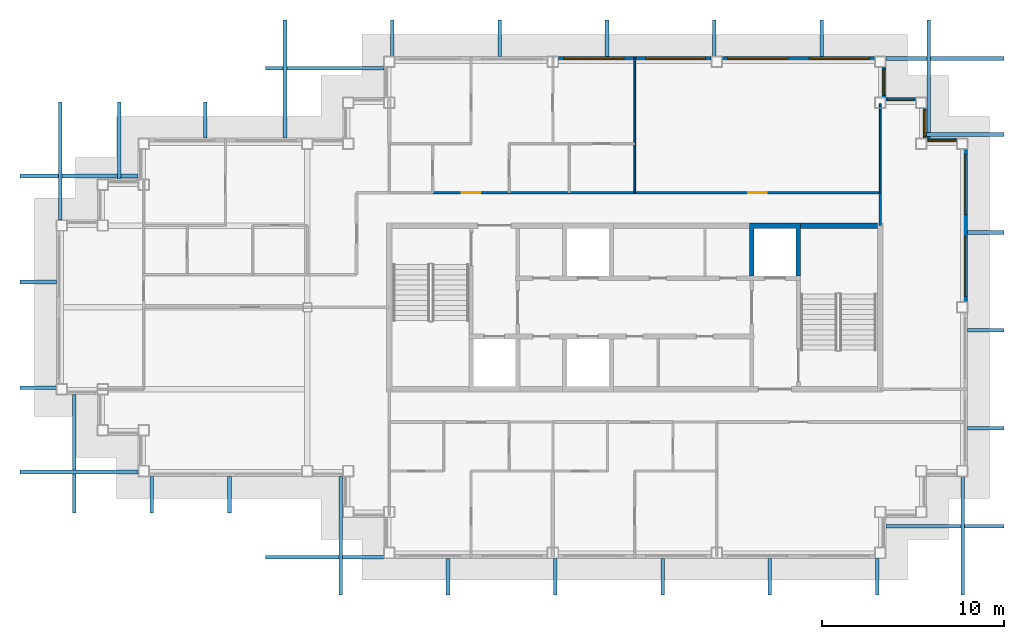
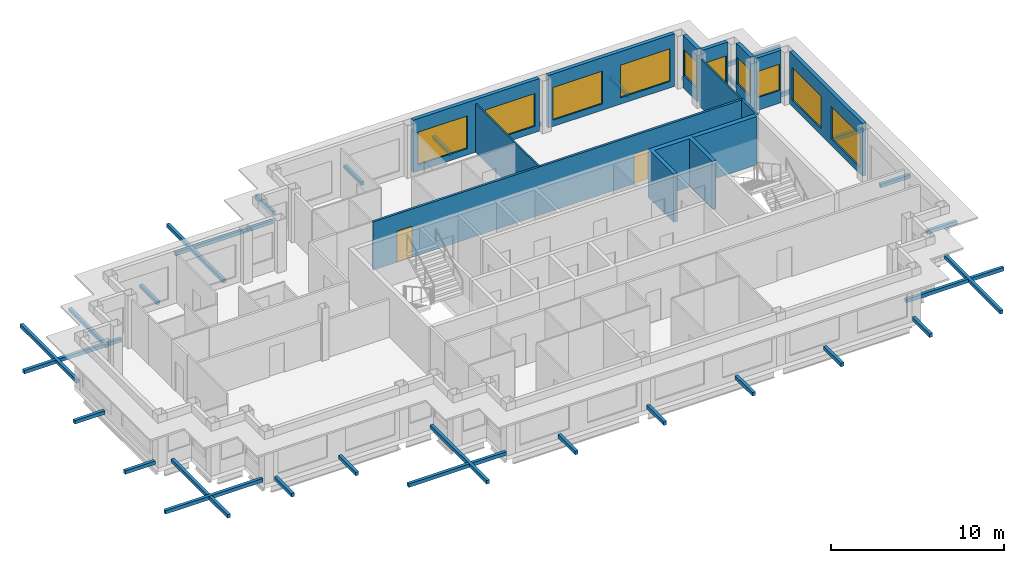
# One storey, part 6 of 11: 32 discrete accessories, 13 walls, 10 windows, 2 doors, 12 openings.
"""IFC4 building model written with IfcOpenShell, lengths in metres."""

import ifcopenshell
import ifcopenshell.guid

model = None  # the IFC model being written
_history = None  # IfcOwnerHistory: only IFC2X3 demands one
_inside = {}  # id of a spatial element -> (the spatial element, [elements in it])
_under = {}  # id of a project, library or spatial element -> (it, [spatial elements below it])
_declared = {}  # id of a project -> (the project, [libraries it declares])
_typed = {}  # id of a type object -> (the type object, [elements of that type])
_made_of = {}  # id of a material, layer set ... -> (it, [elements and type objects made of it])


def new_model(schema):
    """Start an empty IFC model of exactly this schema.

    Asked for "IFC4X3", IfcOpenShell would pick the latest addendum, in which some entities
    have other attributes; the version numbers below select the first issue.
    IFC2X3 requires an IfcOwnerHistory on every rooted entity: one is made here for all.
    """
    global model, _history
    if schema == "IFC4X3":
        model = ifcopenshell.file(schema_version=(4, 3, 0, 0))
    else:
        model = ifcopenshell.file(schema=schema)
    _inside.clear()
    _under.clear()
    _declared.clear()
    _typed.clear()
    _made_of.clear()
    _history = None
    if model.schema == "IFC2X3":
        org = make("IfcOrganization", Name="unknown")
        user = make(
            "IfcPersonAndOrganization",
            ThePerson=make("IfcPerson", FamilyName="unknown"),
            TheOrganization=org,
        )
        app = make(
            "IfcApplication",
            ApplicationDeveloper=org,
            Version="unknown",
            ApplicationFullName="unknown",
            ApplicationIdentifier="unknown",
        )
        _history = make(
            "IfcOwnerHistory",
            OwningUser=user,
            OwningApplication=app,
            ChangeAction="ADDED",
            CreationDate=0,
        )
    return model


def make(cls, **values):
    """One entity of the class cls with the attributes given. An attribute that is None is left unset."""
    return model.create_entity(
        cls, **{name: value for name, value in values.items() if value is not None}
    )


def rooted(cls, **values):
    """An entity with a GlobalId (a new one), such as an element, a storey or a relation."""
    return make(cls, GlobalId=ifcopenshell.guid.new(), OwnerHistory=_history, **values)


def si_unit(unit_type, name, prefix=None):
    """IfcSIUnit, for example si_unit("LENGTHUNIT", "METRE", prefix="MILLI")."""
    return make("IfcSIUnit", UnitType=unit_type, Prefix=prefix, Name=name)


def assignment(units):
    """IfcUnitAssignment: the units of a project."""
    return None if units is None else make("IfcUnitAssignment", Units=units)


def point(xyz):
    """IfcCartesianPoint."""
    return None if xyz is None else make("IfcCartesianPoint", Coordinates=xyz)


def direction(xyz):
    """IfcDirection."""
    return None if xyz is None else make("IfcDirection", DirectionRatios=xyz)


def frame(location, z_axis=None, x_axis=None):
    """IfcAxis2Placement3D, a coordinate frame: its origin and axes. An axis left out is left unset."""
    return make(
        "IfcAxis2Placement3D",
        Location=point(location),
        Axis=direction(z_axis),
        RefDirection=direction(x_axis),
    )


def frame_2d(location, x_axis=None):
    """IfcAxis2Placement2D, a coordinate frame in the plane: its origin and x axis."""
    return make(
        "IfcAxis2Placement2D", Location=point(location), RefDirection=direction(x_axis)
    )


def origin():
    """The frame at (0, 0, 0) with its axes left unset."""
    return frame((0.0, 0.0, 0.0))


def origin_2d():
    """The frame at (0, 0) in the plane with its x axis left unset."""
    return frame_2d((0.0, 0.0))


def place(relative_to, where):
    """IfcLocalPlacement: puts the frame where relative to a parent placement (None: the world)."""
    return make(
        "IfcLocalPlacement", PlacementRelTo=relative_to, RelativePlacement=where
    )


def context(
    kind, dimensions, precision=None, world=None, true_north=None, identifier=None
):
    """IfcGeometricRepresentationContext, for example the 3D "Model" context."""
    return make(
        "IfcGeometricRepresentationContext",
        ContextIdentifier=identifier,
        ContextType=kind,
        CoordinateSpaceDimension=dimensions,
        Precision=precision,
        WorldCoordinateSystem=world,
        TrueNorth=true_north,
    )


def subcontext(parent, identifier, kind, view, scale=None):
    """IfcGeometricRepresentationSubContext, for example "Body" below "Model"."""
    return make(
        "IfcGeometricRepresentationSubContext",
        ContextIdentifier=identifier,
        ContextType=kind,
        ParentContext=parent,
        TargetScale=scale,
        TargetView=view,
    )


def project(units=None, contexts=None):
    """IfcProject with its units and contexts."""
    return rooted(
        "IfcProject",
        Name="project",
        RepresentationContexts=contexts,
        UnitsInContext=assignment(units),
    )


def spatial(cls, under=None, at=None, **own):
    """A site, building, storey or space (cls), placed at a placement, below another one or the project."""
    s = rooted(cls, ObjectPlacement=at, **own)
    if under is not None:
        _under.setdefault(under.id(), (under, []))[1].append(s)
    return s


def polyline(points):
    """IfcPolyline through the points."""
    return make("IfcPolyline", Points=[point(p) for p in points])


def profile(cls, at=None, kind="AREA", **sizes):
    """A parametric profile (cls). Its sizes go by their IFC names, for example OverallWidth=200.0."""
    return make(cls, ProfileType=kind, Position=at, **sizes)


def rectangle(**sizes):
    """IfcRectangleProfileDef."""
    return profile("IfcRectangleProfileDef", **sizes)


def outline(outer, holes=None, kind="AREA"):
    """IfcArbitraryClosedProfileDef: a profile drawn as a closed curve; with holes, ...WithVoids."""
    if holes is None:
        return make("IfcArbitraryClosedProfileDef", ProfileType=kind, OuterCurve=outer)
    return make(
        "IfcArbitraryProfileDefWithVoids",
        ProfileType=kind,
        OuterCurve=outer,
        InnerCurves=holes,
    )


def extrude(swept, where, along, depth):
    """IfcExtrudedAreaSolid: the profile swept, set in the frame where, extruded along a direction by depth."""
    return make(
        "IfcExtrudedAreaSolid",
        SweptArea=swept,
        Position=where,
        ExtrudedDirection=direction(along),
        Depth=depth,
    )


def shape(context_of_items, identifier, shape_type, items):
    """IfcShapeRepresentation: the items that make up one representation, for example the "Body"."""
    return make(
        "IfcShapeRepresentation",
        ContextOfItems=context_of_items,
        RepresentationIdentifier=identifier,
        RepresentationType=shape_type,
        Items=items,
    )


def material(Name=None, Category=None):
    """IfcMaterial."""
    return make("IfcMaterial", Name=Name, Category=Category)


def layer(
    of_material, thickness, ventilated=None, Name=None, Category=None, Priority=None
):
    """IfcMaterialLayer: one layer of a wall or slab, of a material (None: an air gap)."""
    return make(
        "IfcMaterialLayer",
        Material=of_material,
        LayerThickness=thickness,
        IsVentilated=ventilated,
        Name=Name,
        Category=Category,
        Priority=Priority,
    )


def layer_set(layers, Name=None):
    """IfcMaterialLayerSet."""
    return make("IfcMaterialLayerSet", MaterialLayers=layers, LayerSetName=Name)


def made_of(thing, what):
    """Note that an element or type object is made of a material, layer set ...; save() writes the relation."""
    if what is not None:
        _made_of.setdefault(what.id(), (what, []))[1].append(thing)
    return thing


def type_object(cls, material=None, **own):
    """A type object (cls), such as IfcWallType, which elements share."""
    return made_of(rooted(cls, **own), material)


def element(
    cls,
    number,
    at=None,
    inside=None,
    cuts=None,
    type_object=None,
    material=None,
    context=None,
    identifier="Body",
    shape_type=None,
    held_by="IfcProductDefinitionShape",
    body=None,
    shapes=None,
    **own,
):
    """One element of the class cls, such as IfcWall. Its Tag is "e" and its number.

    at: its placement. inside: the storey or other place that contains it. cuts: it is an
    opening in that element (IfcRelVoidsElement). A single representation is given by context,
    identifier, shape_type and body (its items); several are given by shapes. held_by: the class
    of the entity that holds the representations. save() writes the other relations.
    """
    e = rooted(cls, Tag="e%d" % number, ObjectPlacement=at, **own)
    if body is not None:
        shapes = [shape(context, identifier, shape_type, body)]
    if shapes is not None:
        e.Representation = make(held_by, Representations=shapes)
    if inside is not None:
        _inside.setdefault(inside.id(), (inside, []))[1].append(e)
    if cuts is not None:
        rooted(
            "IfcRelVoidsElement", RelatingBuildingElement=cuts, RelatedOpeningElement=e
        )
    if type_object is not None:
        _typed.setdefault(type_object.id(), (type_object, []))[1].append(e)
    return made_of(e, material)


def fill(opening, filler):
    """IfcRelFillsElement: the door or window that sits in an opening."""
    return rooted(
        "IfcRelFillsElement",
        RelatingOpeningElement=opening,
        RelatedBuildingElement=filler,
    )


def aggregate(whole, parts):
    """IfcRelAggregates: a whole, such as a stair, and the parts it consists of."""
    return rooted("IfcRelAggregates", RelatingObject=whole, RelatedObjects=parts)


def save(model, path):
    """Write the relations noted so far, then the file.

    IfcRelAggregates (storeys below a building ...), IfcRelContainedInSpatialStructure (elements
    in a storey), IfcRelDefinesByType, IfcRelAssociatesMaterial and IfcRelDeclares: one each for
    every whole, place, type object, material and project.
    """
    for whole, parts in _under.values():
        aggregate(whole, parts)
    for where, things in _inside.values():
        rooted(
            "IfcRelContainedInSpatialStructure",
            RelatedElements=things,
            RelatingStructure=where,
        )
    for kind, things in _typed.values():
        rooted("IfcRelDefinesByType", RelatedObjects=things, RelatingType=kind)
    for what, things in _made_of.values():
        rooted("IfcRelAssociatesMaterial", RelatedObjects=things, RelatingMaterial=what)
    for by, libraries in _declared.values():
        rooted("IfcRelDeclares", RelatingContext=by, RelatedDefinitions=libraries)
    model.write(path)


model = new_model("IFC4")

# Units and contexts
model_context = context("Model", 3, precision=1e-05, world=origin(), true_north=direction((0.0, 1.0)))
body_context = subcontext(model_context, "Body", "Model", "MODEL_VIEW")
ifc_project = project(units=[si_unit("LENGTHUNIT", "METRE"), si_unit("AREAUNIT", "SQUARE_METRE"), si_unit("VOLUMEUNIT", "CUBIC_METRE"), si_unit("PLANEANGLEUNIT", "RADIAN"), si_unit("MASSUNIT", "GRAM", prefix="KILO")], contexts=[model_context])

# Site, building, storey
site_placement = place(None, origin())
site = spatial("IfcSite", under=ifc_project, at=site_placement, CompositionType="ELEMENT")
building_placement = place(site_placement, origin())
building = spatial("IfcBuilding", under=site, at=building_placement, Name="Caravel Reach Hotel and Residences", CompositionType="ELEMENT")
storey_placement = place(building_placement, frame((0.0, 0.0, 249.0)))
storey = spatial("IfcBuildingStorey", under=building, at=storey_placement, Name="L63", CompositionType="ELEMENT", Elevation=249.0)

# Wall
ifc_material_1 = material(Name="Concrete C60", Category="concrete")
ifc_layer_1 = layer(ifc_material_1, 0.300048828125)
ifc_layer_set_1 = layer_set([ifc_layer_1], Name="Core wall 300 mm EI 120")
wall_type_1 = type_object("IfcWallType", Name="Core wall 300 mm EI 120", PredefinedType="SHEAR", material=ifc_layer_set_1)
wall_1_placement = place(storey_placement, frame((40.625, 31.5, 0.0), z_axis=(0.0, 0.0, 1.0), x_axis=(1.0, 0.0, 0.0)))
element("IfcWall", 1, at=wall_1_placement, inside=storey, type_object=wall_type_1, Name="L63 core wall N3", PredefinedType="SHEAR", context=body_context, shape_type="SweptSolid", body=[
    extrude(rectangle(XDim=4.22509765625, YDim=0.300048828125, at=frame_2d((2.112548828125, 0.0))), origin(), (0.0, 0.0, 1.0), 3.39990234375),
])

# Wall, openings, doors
ifc_material_2 = material(Name="Gypsum board on steel stud, fire-rated", Category="steel")
ifc_layer_2 = layer(ifc_material_2, 0.14990234375)
ifc_layer_set_2 = layer_set([ifc_layer_2], Name="Corridor wall 150 mm EI 60")
wall_type_2 = type_object("IfcWallType", Name="Corridor wall 150 mm EI 60", PredefinedType="PARTITIONING", material=ifc_layer_set_2)
wall_2_placement = place(storey_placement, frame((20.39990234375, 33.300048828125, 0.0), z_axis=(0.0, 0.0, 1.0), x_axis=(1.0, 0.0, 0.0)))
wall_2 = element("IfcWall", 2, at=wall_2_placement, inside=storey, type_object=wall_type_2, Name="L63 wall w012", PredefinedType="PARTITIONING", context=body_context, shape_type="SweptSolid", body=[
    extrude(rectangle(XDim=24.60009765625, YDim=0.14990234375, at=frame_2d((12.300048828125, 0.0))), origin(), (0.0, 0.0, 1.0), 3.39990234375),
])
opening_1_placement = place(wall_2_placement, frame((1.60009765625, 0.0, 0.0)))
opening_1 = element("IfcOpeningElement", 3, at=opening_1_placement, cuts=wall_2, Name="Opening D63-017", PredefinedType="OPENING", context=body_context, shape_type="SweptSolid", body=[
    extrude(rectangle(XDim=1.0, YDim=2.199951171875, at=frame_2d((0.5, 1.10009765625))), frame((0.0, 0.0849609375, 0.0), z_axis=(0.0, -1.0, 0.0), x_axis=(1.0, 0.0, 0.0)), (0.0, 0.0, 1.0), 0.169921875),
])
opening_2_placement = place(wall_2_placement, frame((17.35009765625, 0.0, 0.0)))
opening_2 = element("IfcOpeningElement", 4, at=opening_2_placement, cuts=wall_2, Name="Opening D63-023", PredefinedType="OPENING", context=body_context, shape_type="SweptSolid", body=[
    extrude(rectangle(XDim=1.0, YDim=2.10009765625, at=frame_2d((0.5, 1.050048828125))), frame((0.0, 0.0849609375, 0.0), z_axis=(0.0, -1.0, 0.0), x_axis=(1.0, 0.0, 0.0)), (0.0, 0.0, 1.0), 0.169921875),
])
ifc_material_3 = material(Name="Steel fire door leaf", Category="steel")
door_type_1 = type_object("IfcDoorType", Name="Fire door 1000 x 2100 EI 60", OperationType="SINGLE_SWING_LEFT", PredefinedType="DOOR", material=ifc_material_3)
door_1_placement = place(opening_2_placement, origin())
door_1 = element("IfcDoor", 5, at=door_1_placement, inside=storey, type_object=door_type_1, Name="door D63-023", OperationType="SINGLE_SWING_LEFT", OverallHeight=2.10009765625, OverallWidth=1.0, PredefinedType="DOOR", context=body_context, shape_type="SweptSolid", body=[
    extrude(rectangle(XDim=1.0, YDim=2.10009765625, at=frame_2d((0.5, 1.050048828125))), frame((0.0, 0.02490234375, 0.0), z_axis=(0.0, -1.0, 0.0), x_axis=(1.0, 0.0, 0.0)), (0.0, 0.0, 1.0), 0.050048828125),
])
fill(opening_2, door_1)
ifc_material_4 = material(Name="Steel fire door leaf", Category="steel")
door_type_2 = type_object("IfcDoorType", Name="Flat entrance door 1000 x 2200 EI 60", OperationType="SINGLE_SWING_LEFT", PredefinedType="DOOR", material=ifc_material_4)
door_2_placement = place(opening_1_placement, origin())
door_2 = element("IfcDoor", 6, at=door_2_placement, inside=storey, type_object=door_type_2, Name="door D63-017", OperationType="SINGLE_SWING_LEFT", OverallHeight=2.199951171875, OverallWidth=1.0, PredefinedType="DOOR", context=body_context, shape_type="SweptSolid", body=[
    extrude(rectangle(XDim=1.0, YDim=2.199951171875, at=frame_2d((0.5, 1.10009765625))), frame((0.0, 0.02490234375, 0.0), z_axis=(0.0, -1.0, 0.0), x_axis=(1.0, 0.0, 0.0)), (0.0, 0.0, 1.0), 0.050048828125),
])
fill(opening_1, door_2)

# Wall
wall_3_placement = place(storey_placement, frame((45.0, 31.5, 0.0), z_axis=(0.0, 0.0, 1.0), x_axis=(0.0, 1.0, 0.0)))
element("IfcWall", 7, at=wall_3_placement, inside=storey, type_object=wall_type_2, Name="L63 wall w020", PredefinedType="PARTITIONING", context=body_context, shape_type="SweptSolid", body=[
    extrude(rectangle(XDim=1.800048828125, YDim=0.14990234375, at=frame_2d((0.89990234375, 0.0))), origin(), (0.0, 0.0, 1.0), 3.39990234375),
])

# Wall, openings, windows
ifc_material_5 = material(Name="Insulated rainscreen wall, aluminium cladding", Category="aluminium")
ifc_layer_3 = layer(ifc_material_5, 0.25)
ifc_layer_set_3 = layer_set([ifc_layer_3], Name="EW1 Tower rainscreen wall")
wall_type_3 = type_object("IfcWallType", Name="EW1 Tower rainscreen wall", PredefinedType="SOLIDWALL", material=ifc_layer_set_3)
wall_4_placement = place(storey_placement, frame((49.675048828125, 27.300048828125, 0.0), z_axis=(0.0, 0.0, 1.0), x_axis=(0.0, 1.0, 0.0)))
wall_4 = element("IfcWall", 8, at=wall_4_placement, inside=storey, type_object=wall_type_3, Name="External wall L63 E9.2", PredefinedType="SOLIDWALL", context=body_context, shape_type="SweptSolid", body=[
    extrude(rectangle(XDim=8.39990234375, YDim=0.25, at=frame_2d((4.199951171875, 0.0))), origin(), (0.0, 0.0, 1.0), 3.699951171875),
])
opening_3_placement = place(wall_4_placement, frame((0.300048828125, 0.0, 0.449951171875)))
opening_3 = element("IfcOpeningElement", 9, at=opening_3_placement, cuts=wall_4, Name="Opening WN15", PredefinedType="OPENING", context=body_context, shape_type="SweptSolid", body=[
    extrude(rectangle(XDim=3.300048828125, YDim=2.300048828125, at=frame_2d((1.64990234375, 1.14990234375))), frame((0.0, 0.135009765625, 0.0), z_axis=(0.0, -1.0, 0.0), x_axis=(1.0, 0.0, 0.0)), (0.0, 0.0, 1.0), 0.27001953125),
])
opening_4_placement = place(wall_4_placement, frame((4.800048828125, 0.0, 0.449951171875)))
opening_4 = element("IfcOpeningElement", 10, at=opening_4_placement, cuts=wall_4, Name="Opening WN15", PredefinedType="OPENING", context=body_context, shape_type="SweptSolid", body=[
    extrude(rectangle(XDim=3.300048828125, YDim=2.300048828125, at=frame_2d((1.64990234375, 1.14990234375))), frame((0.0, 0.135009765625, 0.0), z_axis=(0.0, -1.0, 0.0), x_axis=(1.0, 0.0, 0.0)), (0.0, 0.0, 1.0), 0.27001953125),
])
ifc_material_6 = material(Name="Dark low-e glazing in black aluminium frame", Category="aluminium")
window_type_1 = type_object("IfcWindowType", Name="Residence living window 3300 x 2300", PartitioningType="SINGLE_PANEL", PredefinedType="WINDOW", material=ifc_material_6)
window_1_placement = place(opening_3_placement, origin())
window_1 = element("IfcWindow", 11, at=window_1_placement, inside=storey, type_object=window_type_1, Name="Window L63 E9.2.1", OverallHeight=2.300048828125, OverallWidth=3.300048828125, PartitioningType="SINGLE_PANEL", PredefinedType="WINDOW", context=body_context, shape_type="SweptSolid", body=[
    extrude(rectangle(XDim=3.300048828125, YDim=2.300048828125, at=frame_2d((1.64990234375, 1.14990234375))), frame((0.0, 0.030029296875, 0.0), z_axis=(0.0, -1.0, 0.0), x_axis=(1.0, 0.0, 0.0)), (0.0, 0.0, 1.0), 0.06005859375),
])
fill(opening_3, window_1)
window_2_placement = place(opening_4_placement, origin())
window_2 = element("IfcWindow", 12, at=window_2_placement, inside=storey, type_object=window_type_1, Name="Window L63 E9.2.2", OverallHeight=2.300048828125, OverallWidth=3.300048828125, PartitioningType="SINGLE_PANEL", PredefinedType="WINDOW", context=body_context, shape_type="SweptSolid", body=[
    extrude(rectangle(XDim=3.300048828125, YDim=2.300048828125, at=frame_2d((1.64990234375, 1.14990234375))), frame((0.0, 0.030029296875, 0.0), z_axis=(0.0, -1.0, 0.0), x_axis=(1.0, 0.0, 0.0)), (0.0, 0.0, 1.0), 0.06005859375),
])
fill(opening_4, window_2)

# Wall, opening, window
wall_5_placement = place(storey_placement, frame((49.199951171875, 36.175048828125, 0.0), z_axis=(0.0, 0.0, 1.0), x_axis=(-1.0, 0.0, 0.0)))
wall_5 = element("IfcWall", 13, at=wall_5_placement, inside=storey, type_object=wall_type_3, Name="External wall L63 N10.1", PredefinedType="SOLIDWALL", context=body_context, shape_type="SweptSolid", body=[
    extrude(rectangle(XDim=1.64990234375, YDim=0.25, at=frame_2d((0.824951171875, 0.0))), origin(), (0.0, 0.0, 1.0), 3.699951171875),
])
opening_5_placement = place(wall_5_placement, frame((0.10009765625, 0.0, 0.89990234375)))
opening_5 = element("IfcOpeningElement", 14, at=opening_5_placement, cuts=wall_5, Name="Opening WN25", PredefinedType="OPENING", context=body_context, shape_type="SweptSolid", body=[
    extrude(rectangle(XDim=1.449951171875, YDim=1.85009765625, at=frame_2d((0.72509765625, 0.925048828125))), frame((0.0, 0.135009765625, 0.0), z_axis=(0.0, -1.0, 0.0), x_axis=(1.0, 0.0, 0.0)), (0.0, 0.0, 1.0), 0.27001953125),
])
ifc_material_7 = material(Name="Dark low-e glazing in black aluminium frame", Category="aluminium")
window_type_2 = type_object("IfcWindowType", Name="Residence bedroom window 1450 x 1850", PartitioningType="SINGLE_PANEL", PredefinedType="WINDOW", material=ifc_material_7)
window_3_placement = place(opening_5_placement, origin())
window_3 = element("IfcWindow", 15, at=window_3_placement, inside=storey, type_object=window_type_2, Name="Window L63 N10.1.1", OverallHeight=1.85009765625, OverallWidth=1.449951171875, PartitioningType="SINGLE_PANEL", PredefinedType="WINDOW", context=body_context, shape_type="SweptSolid", body=[
    extrude(rectangle(XDim=1.449951171875, YDim=1.85009765625, at=frame_2d((0.72509765625, 0.925048828125))), frame((0.0, 0.030029296875, 0.0), z_axis=(0.0, -1.0, 0.0), x_axis=(1.0, 0.0, 0.0)), (0.0, 0.0, 1.0), 0.06005859375),
])
fill(opening_5, window_3)

wall_6_placement = place(storey_placement, frame((47.425048828125, 36.300048828125, 0.0), z_axis=(0.0, 0.0, 1.0), x_axis=(0.0, 1.0, 0.0)))
wall_6 = element("IfcWall", 16, at=wall_6_placement, inside=storey, type_object=wall_type_3, Name="External wall L63 E11.1", PredefinedType="SOLIDWALL", context=body_context, shape_type="SweptSolid", body=[
    extrude(rectangle(XDim=1.64990234375, YDim=0.25, at=frame_2d((0.824951171875, 0.0))), origin(), (0.0, 0.0, 1.0), 3.699951171875),
])
opening_6_placement = place(wall_6_placement, frame((0.10009765625, 0.0, 0.89990234375)))
opening_6 = element("IfcOpeningElement", 17, at=opening_6_placement, cuts=wall_6, Name="Opening WN25", PredefinedType="OPENING", context=body_context, shape_type="SweptSolid", body=[
    extrude(rectangle(XDim=1.449951171875, YDim=1.85009765625, at=frame_2d((0.72509765625, 0.925048828125))), frame((0.0, 0.135009765625, 0.0), z_axis=(0.0, -1.0, 0.0), x_axis=(1.0, 0.0, 0.0)), (0.0, 0.0, 1.0), 0.27001953125),
])
window_4_placement = place(opening_6_placement, origin())
window_4 = element("IfcWindow", 18, at=window_4_placement, inside=storey, type_object=window_type_2, Name="Window L63 E11.1.1", OverallHeight=1.85009765625, OverallWidth=1.449951171875, PartitioningType="SINGLE_PANEL", PredefinedType="WINDOW", context=body_context, shape_type="SweptSolid", body=[
    extrude(rectangle(XDim=1.449951171875, YDim=1.85009765625, at=frame_2d((0.72509765625, 0.925048828125))), frame((0.0, 0.030029296875, 0.0), z_axis=(0.0, -1.0, 0.0), x_axis=(1.0, 0.0, 0.0)), (0.0, 0.0, 1.0), 0.06005859375),
])
fill(opening_6, window_4)

wall_7_placement = place(storey_placement, frame((46.949951171875, 38.425048828125, 0.0), z_axis=(0.0, 0.0, 1.0), x_axis=(-1.0, 0.0, 0.0)))
wall_7 = element("IfcWall", 19, at=wall_7_placement, inside=storey, type_object=wall_type_3, Name="External wall L63 N12.1", PredefinedType="SOLIDWALL", context=body_context, shape_type="SweptSolid", body=[
    extrude(rectangle(XDim=1.64990234375, YDim=0.25, at=frame_2d((0.824951171875, 0.0))), origin(), (0.0, 0.0, 1.0), 3.699951171875),
])
opening_7_placement = place(wall_7_placement, frame((0.10009765625, 0.0, 0.89990234375)))
opening_7 = element("IfcOpeningElement", 20, at=opening_7_placement, cuts=wall_7, Name="Opening WN25", PredefinedType="OPENING", context=body_context, shape_type="SweptSolid", body=[
    extrude(rectangle(XDim=1.449951171875, YDim=1.85009765625, at=frame_2d((0.72509765625, 0.925048828125))), frame((0.0, 0.135009765625, 0.0), z_axis=(0.0, -1.0, 0.0), x_axis=(1.0, 0.0, 0.0)), (0.0, 0.0, 1.0), 0.27001953125),
])
window_5_placement = place(opening_7_placement, origin())
window_5 = element("IfcWindow", 21, at=window_5_placement, inside=storey, type_object=window_type_2, Name="Window L63 N12.1.1", OverallHeight=1.85009765625, OverallWidth=1.449951171875, PartitioningType="SINGLE_PANEL", PredefinedType="WINDOW", context=body_context, shape_type="SweptSolid", body=[
    extrude(rectangle(XDim=1.449951171875, YDim=1.85009765625, at=frame_2d((0.72509765625, 0.925048828125))), frame((0.0, 0.030029296875, 0.0), z_axis=(0.0, -1.0, 0.0), x_axis=(1.0, 0.0, 0.0)), (0.0, 0.0, 1.0), 0.06005859375),
])
fill(opening_7, window_5)

wall_8_placement = place(storey_placement, frame((45.175048828125, 38.550048828125, 0.0), z_axis=(0.0, 0.0, 1.0), x_axis=(0.0, 1.0, 0.0)))
wall_8 = element("IfcWall", 22, at=wall_8_placement, inside=storey, type_object=wall_type_3, Name="External wall L63 E13.1", PredefinedType="SOLIDWALL", context=body_context, shape_type="SweptSolid", body=[
    extrude(rectangle(XDim=1.64990234375, YDim=0.25, at=frame_2d((0.824951171875, 0.0))), origin(), (0.0, 0.0, 1.0), 3.699951171875),
])
opening_8_placement = place(wall_8_placement, frame((0.10009765625, 0.0, 0.89990234375)))
opening_8 = element("IfcOpeningElement", 23, at=opening_8_placement, cuts=wall_8, Name="Opening WN25", PredefinedType="OPENING", context=body_context, shape_type="SweptSolid", body=[
    extrude(rectangle(XDim=1.449951171875, YDim=1.85009765625, at=frame_2d((0.72509765625, 0.925048828125))), frame((0.0, 0.135009765625, 0.0), z_axis=(0.0, -1.0, 0.0), x_axis=(1.0, 0.0, 0.0)), (0.0, 0.0, 1.0), 0.27001953125),
])
window_6_placement = place(opening_8_placement, origin())
window_6 = element("IfcWindow", 24, at=window_6_placement, inside=storey, type_object=window_type_2, Name="Window L63 E13.1.1", OverallHeight=1.85009765625, OverallWidth=1.449951171875, PartitioningType="SINGLE_PANEL", PredefinedType="WINDOW", context=body_context, shape_type="SweptSolid", body=[
    extrude(rectangle(XDim=1.449951171875, YDim=1.85009765625, at=frame_2d((0.72509765625, 0.925048828125))), frame((0.0, 0.030029296875, 0.0), z_axis=(0.0, -1.0, 0.0), x_axis=(1.0, 0.0, 0.0)), (0.0, 0.0, 1.0), 0.06005859375),
])
fill(opening_8, window_6)

# Wall, openings, windows
wall_9_placement = place(storey_placement, frame((44.699951171875, 40.675048828125, 0.0), z_axis=(0.0, 0.0, 1.0), x_axis=(-1.0, 0.0, 0.0)))
wall_9 = element("IfcWall", 25, at=wall_9_placement, inside=storey, type_object=wall_type_3, Name="External wall L63 N14.1", PredefinedType="SOLIDWALL", context=body_context, shape_type="SweptSolid", body=[
    extrude(rectangle(XDim=8.39990234375, YDim=0.25, at=frame_2d((4.199951171875, 0.0))), origin(), (0.0, 0.0, 1.0), 3.699951171875),
])
opening_9_placement = place(wall_9_placement, frame((0.300048828125, 0.0, 0.449951171875)))
opening_9 = element("IfcOpeningElement", 26, at=opening_9_placement, cuts=wall_9, Name="Opening WN15", PredefinedType="OPENING", context=body_context, shape_type="SweptSolid", body=[
    extrude(rectangle(XDim=3.300048828125, YDim=2.300048828125, at=frame_2d((1.64990234375, 1.14990234375))), frame((0.0, 0.135009765625, 0.0), z_axis=(0.0, -1.0, 0.0), x_axis=(1.0, 0.0, 0.0)), (0.0, 0.0, 1.0), 0.27001953125),
])
opening_10_placement = place(wall_9_placement, frame((4.800048828125, 0.0, 0.449951171875)))
opening_10 = element("IfcOpeningElement", 27, at=opening_10_placement, cuts=wall_9, Name="Opening WN15", PredefinedType="OPENING", context=body_context, shape_type="SweptSolid", body=[
    extrude(rectangle(XDim=3.300048828125, YDim=2.300048828125, at=frame_2d((1.64990234375, 1.14990234375))), frame((0.0, 0.135009765625, 0.0), z_axis=(0.0, -1.0, 0.0), x_axis=(1.0, 0.0, 0.0)), (0.0, 0.0, 1.0), 0.27001953125),
])
window_7_placement = place(opening_9_placement, origin())
window_7 = element("IfcWindow", 28, at=window_7_placement, inside=storey, type_object=window_type_1, Name="Window L63 N14.1.1", OverallHeight=2.300048828125, OverallWidth=3.300048828125, PartitioningType="SINGLE_PANEL", PredefinedType="WINDOW", context=body_context, shape_type="SweptSolid", body=[
    extrude(rectangle(XDim=3.300048828125, YDim=2.300048828125, at=frame_2d((1.64990234375, 1.14990234375))), frame((0.0, 0.030029296875, 0.0), z_axis=(0.0, -1.0, 0.0), x_axis=(1.0, 0.0, 0.0)), (0.0, 0.0, 1.0), 0.06005859375),
])
fill(opening_9, window_7)
window_8_placement = place(opening_10_placement, origin())
window_8 = element("IfcWindow", 29, at=window_8_placement, inside=storey, type_object=window_type_1, Name="Window L63 N14.1.2", OverallHeight=2.300048828125, OverallWidth=3.300048828125, PartitioningType="SINGLE_PANEL", PredefinedType="WINDOW", context=body_context, shape_type="SweptSolid", body=[
    extrude(rectangle(XDim=3.300048828125, YDim=2.300048828125, at=frame_2d((1.64990234375, 1.14990234375))), frame((0.0, 0.030029296875, 0.0), z_axis=(0.0, -1.0, 0.0), x_axis=(1.0, 0.0, 0.0)), (0.0, 0.0, 1.0), 0.06005859375),
])
fill(opening_10, window_8)

wall_10_placement = place(storey_placement, frame((35.699951171875, 40.675048828125, 0.0), z_axis=(0.0, 0.0, 1.0), x_axis=(-1.0, 0.0, 0.0)))
wall_10 = element("IfcWall", 30, at=wall_10_placement, inside=storey, type_object=wall_type_3, Name="External wall L63 N14.2", PredefinedType="SOLIDWALL", context=body_context, shape_type="SweptSolid", body=[
    extrude(rectangle(XDim=8.39990234375, YDim=0.25, at=frame_2d((4.199951171875, 0.0))), origin(), (0.0, 0.0, 1.0), 3.699951171875),
])
opening_11_placement = place(wall_10_placement, frame((0.300048828125, 0.0, 0.449951171875)))
opening_11 = element("IfcOpeningElement", 31, at=opening_11_placement, cuts=wall_10, Name="Opening WN15", PredefinedType="OPENING", context=body_context, shape_type="SweptSolid", body=[
    extrude(rectangle(XDim=3.300048828125, YDim=2.300048828125, at=frame_2d((1.64990234375, 1.14990234375))), frame((0.0, 0.135009765625, 0.0), z_axis=(0.0, -1.0, 0.0), x_axis=(1.0, 0.0, 0.0)), (0.0, 0.0, 1.0), 0.27001953125),
])
opening_12_placement = place(wall_10_placement, frame((4.800048828125, 0.0, 0.449951171875)))
opening_12 = element("IfcOpeningElement", 32, at=opening_12_placement, cuts=wall_10, Name="Opening WN15", PredefinedType="OPENING", context=body_context, shape_type="SweptSolid", body=[
    extrude(rectangle(XDim=3.300048828125, YDim=2.300048828125, at=frame_2d((1.64990234375, 1.14990234375))), frame((0.0, 0.135009765625, 0.0), z_axis=(0.0, -1.0, 0.0), x_axis=(1.0, 0.0, 0.0)), (0.0, 0.0, 1.0), 0.27001953125),
])
window_9_placement = place(opening_11_placement, origin())
window_9 = element("IfcWindow", 33, at=window_9_placement, inside=storey, type_object=window_type_1, Name="Window L63 N14.2.1", OverallHeight=2.300048828125, OverallWidth=3.300048828125, PartitioningType="SINGLE_PANEL", PredefinedType="WINDOW", context=body_context, shape_type="SweptSolid", body=[
    extrude(rectangle(XDim=3.300048828125, YDim=2.300048828125, at=frame_2d((1.64990234375, 1.14990234375))), frame((0.0, 0.030029296875, 0.0), z_axis=(0.0, -1.0, 0.0), x_axis=(1.0, 0.0, 0.0)), (0.0, 0.0, 1.0), 0.06005859375),
])
fill(opening_11, window_9)
window_10_placement = place(opening_12_placement, origin())
window_10 = element("IfcWindow", 34, at=window_10_placement, inside=storey, type_object=window_type_1, Name="Window L63 N14.2.2", OverallHeight=2.300048828125, OverallWidth=3.300048828125, PartitioningType="SINGLE_PANEL", PredefinedType="WINDOW", context=body_context, shape_type="SweptSolid", body=[
    extrude(rectangle(XDim=3.300048828125, YDim=2.300048828125, at=frame_2d((1.64990234375, 1.14990234375))), frame((0.0, 0.030029296875, 0.0), z_axis=(0.0, -1.0, 0.0), x_axis=(1.0, 0.0, 0.0)), (0.0, 0.0, 1.0), 0.06005859375),
])
fill(opening_12, window_10)

# Walls
ifc_material_8 = material(Name="Gypsum board on steel stud", Category="steel")
ifc_layer_4 = layer(ifc_material_8, 0.10009765625)
ifc_layer_set_4 = layer_set([ifc_layer_4], Name="Partition 100 mm")
wall_type_4 = type_object("IfcWallType", Name="Partition 100 mm", PredefinedType="PARTITIONING", material=ifc_layer_set_4)
wall_11_placement = place(storey_placement, frame((31.5, 33.300048828125, 0.0), z_axis=(0.0, 0.0, 1.0), x_axis=(0.0, 1.0, 0.0)))
element("IfcWall", 35, at=wall_11_placement, inside=storey, type_object=wall_type_4, Name="L63 wall w044", PredefinedType="PARTITIONING", context=body_context, shape_type="SweptSolid", body=[
    extrude(rectangle(XDim=7.43994140625, YDim=0.10009765625, at=frame_2d((3.719970703125, 0.0))), origin(), (0.0, 0.0, 1.0), 3.39990234375),
])
wall_12_placement = place(storey_placement, frame((45.0, 33.300048828125, 0.0), z_axis=(0.0, 0.0, 1.0), x_axis=(0.0, 1.0, 0.0)))
element("IfcWall", 36, at=wall_12_placement, inside=storey, type_object=wall_type_4, Name="L63 wall w049", PredefinedType="PARTITIONING", context=body_context, shape_type="SweptSolid", body=[
    extrude(rectangle(XDim=4.89990234375, YDim=0.10009765625, at=frame_2d((2.449951171875, 0.0))), origin(), (0.0, 0.0, 1.0), 3.39990234375),
])
ifc_material_9 = material(Name="Concrete C60", Category="concrete")
ifc_layer_5 = layer(ifc_material_9, 0.25)
ifc_layer_set_5 = layer_set([ifc_layer_5], Name="Shaft wall 250 mm EI 120")
wall_type_5 = type_object("IfcWallType", Name="Shaft wall 250 mm EI 120", PredefinedType="SHEAR", material=ifc_layer_set_5)
wall_13_placement = place(storey_placement, origin())
element("IfcWall", 37, at=wall_13_placement, inside=storey, type_object=wall_type_5, Name="L63 lift shaft wall N2", PredefinedType="SHEAR", context=body_context, shape_type="SweptSolid", body=[
    extrude(outline(polyline([(37.803466796875, 28.72509765625), (38.053466796875, 28.72509765625), (38.053466796875, 31.35009765625), (40.375, 31.35009765625), (40.375, 28.72509765625), (40.625, 28.72509765625), (40.625, 31.64990234375), (37.803466796875, 31.64990234375), (37.803466796875, 28.72509765625)])), origin(), (0.0, 0.0, 1.0), 3.39990234375),
])

# Discrete accessories
ifc_material_10 = material(Name="Black powder-coated aluminium", Category="aluminium")
discrete_accessory_type = type_object("IfcDiscreteAccessoryType", Name="BR1 Screen bracket", PredefinedType="BRACKET", material=ifc_material_10)
discrete_accessory_1_placement = place(storey_placement, frame((0.686767578125, 18.949951171875, 0.10009765625), z_axis=(0.0, 0.0, 1.0), x_axis=(0.0, -1.0, 0.0)))
element("IfcDiscreteAccessory", 38, at=discrete_accessory_1_placement, inside=storey, type_object=discrete_accessory_type, Name="Screen bracket L63 1.1.2", PredefinedType="BRACKET", context=body_context, shape_type="SweptSolid", body=[
    extrude(rectangle(XDim=6.5, YDim=0.199951171875, at=origin_2d()), origin(), (0.0, 0.0, 1.0), 0.25),
])
for number, where, z_axis, x_axis, name in (
    (39, (4.953369140625, 16.699951171875, 0.10009765625), (0.0, 0.0, 1.0), (0.0, -1.0, 0.0), "Screen bracket L63 1.2.2"),
    (40, (9.219970703125, 16.699951171875, 0.10009765625), (0.0, 0.0, 1.0), (0.0, -1.0, 0.0), "Screen bracket L63 1.3.2"),
):
    element("IfcDiscreteAccessory", number, at=place(storey_placement, frame(where, z_axis=z_axis, x_axis=x_axis)), inside=storey, type_object=discrete_accessory_type, Name=name, PredefinedType="BRACKET", context=body_context, shape_type="SweptSolid", body=[
        extrude(rectangle(XDim=2.0, YDim=0.199951171875, at=origin_2d()), origin(), (0.0, 0.0, 1.0), 0.25),
    ])
for number, where, z_axis, x_axis, name in (
    (41, (14.449951171875, 13.260009765625, 0.10009765625), (0.0, 0.0, 1.0), (-1.0, 0.0, 0.0), "Screen bracket L63 2.1.2"),
    (42, (15.330078125, 14.449951171875, 0.10009765625), (0.0, 0.0, 1.0), (0.0, -1.0, 0.0), "Screen bracket L63 3.1.2"),
):
    element("IfcDiscreteAccessory", number, at=place(storey_placement, frame(where, z_axis=z_axis, x_axis=x_axis)), inside=storey, type_object=discrete_accessory_type, Name=name, PredefinedType="BRACKET", context=body_context, shape_type="SweptSolid", body=[
        extrude(rectangle(XDim=6.5, YDim=0.199951171875, at=origin_2d()), origin(), (0.0, 0.0, 1.0), 0.25),
    ])
for number, where, z_axis, x_axis, name in (
    (43, (21.22998046875, 12.199951171875, 0.10009765625), (0.0, 0.0, 1.0), (0.0, -1.0, 0.0), "Screen bracket L63 3.2.2"),
    (44, (27.1298828125, 12.199951171875, 0.10009765625), (0.0, 0.0, 1.0), (0.0, -1.0, 0.0), "Screen bracket L63 3.3.2"),
    (45, (33.030029296875, 12.199951171875, 0.10009765625), (0.0, 0.0, 1.0), (0.0, -1.0, 0.0), "Screen bracket L63 3.4.2"),
    (46, (38.929931640625, 12.199951171875, 0.10009765625), (0.0, 0.0, 1.0), (0.0, -1.0, 0.0), "Screen bracket L63 3.5.2"),
    (47, (44.830078125, 12.199951171875, 0.10009765625), (0.0, 0.0, 1.0), (0.0, -1.0, 0.0), "Screen bracket L63 3.6.2"),
):
    element("IfcDiscreteAccessory", number, at=place(storey_placement, frame(where, z_axis=z_axis, x_axis=x_axis)), inside=storey, type_object=discrete_accessory_type, Name=name, PredefinedType="BRACKET", context=body_context, shape_type="SweptSolid", body=[
        extrude(rectangle(XDim=2.0, YDim=0.199951171875, at=origin_2d()), origin(), (0.0, 0.0, 1.0), 0.25),
    ])
for number, where, z_axis, x_axis, name in (
    (48, (49.530029296875, 14.449951171875, 0.10009765625), (0.0, 0.0, 1.0), (0.0, -1.0, 0.0), "Screen bracket L63 3.7.2"),
    (49, (48.550048828125, 14.96826171875, 0.10009765625), (0.0, 0.0, 1.0), (1.0, 0.0, 0.0), "Screen bracket L63 4.1.2"),
):
    element("IfcDiscreteAccessory", number, at=place(storey_placement, frame(where, z_axis=z_axis, x_axis=x_axis)), inside=storey, type_object=discrete_accessory_type, Name=name, PredefinedType="BRACKET", context=body_context, shape_type="SweptSolid", body=[
        extrude(rectangle(XDim=6.5, YDim=0.199951171875, at=origin_2d()), origin(), (0.0, 0.0, 1.0), 0.25),
    ])
for number, where, z_axis, x_axis, name in (
    (50, (50.800048828125, 20.3515625, 0.10009765625), (0.0, 0.0, 1.0), (1.0, 0.0, 0.0), "Screen bracket L63 4.2.2"),
    (51, (50.800048828125, 25.735107421875, 0.10009765625), (0.0, 0.0, 1.0), (1.0, 0.0, 0.0), "Screen bracket L63 4.3.2"),
    (52, (50.800048828125, 31.118408203125, 0.10009765625), (0.0, 0.0, 1.0), (1.0, 0.0, 0.0), "Screen bracket L63 4.4.2"),
):
    element("IfcDiscreteAccessory", number, at=place(storey_placement, frame(where, z_axis=z_axis, x_axis=x_axis)), inside=storey, type_object=discrete_accessory_type, Name=name, PredefinedType="BRACKET", context=body_context, shape_type="SweptSolid", body=[
        extrude(rectangle(XDim=2.0, YDim=0.199951171875, at=origin_2d()), origin(), (0.0, 0.0, 1.0), 0.25),
    ])
discrete_accessory_2_placement = place(storey_placement, frame((49.675048828125, 36.501708984375, 0.10009765625), z_axis=(0.0, 0.0, 1.0), x_axis=(1.0, 0.0, 0.0)))
element("IfcDiscreteAccessory", 53, at=discrete_accessory_2_placement, inside=storey, type_object=discrete_accessory_type, Name="Screen bracket L63 4.5.2", PredefinedType="BRACKET", context=body_context, shape_type="SweptSolid", body=[
    extrude(rectangle(XDim=4.25, YDim=0.199951171875, at=origin_2d()), origin(), (0.0, 0.0, 1.0), 0.25),
])
for number, where, z_axis, x_axis, name in (
    (54, (48.550048828125, 40.68505859375, 0.10009765625), (0.0, 0.0, 1.0), (1.0, 0.0, 0.0), "Screen bracket L63 4.6.2"),
    (55, (47.669921875, 39.550048828125, 0.10009765625), (0.0, 0.0, 1.0), (0.0, 1.0, 0.0), "Screen bracket L63 5.1.2"),
):
    element("IfcDiscreteAccessory", number, at=place(storey_placement, frame(where, z_axis=z_axis, x_axis=x_axis)), inside=storey, type_object=discrete_accessory_type, Name=name, PredefinedType="BRACKET", context=body_context, shape_type="SweptSolid", body=[
        extrude(rectangle(XDim=6.5, YDim=0.199951171875, at=origin_2d()), origin(), (0.0, 0.0, 1.0), 0.25),
    ])
for number, where, z_axis, x_axis, name in (
    (56, (41.77001953125, 41.800048828125, 0.10009765625), (0.0, 0.0, 1.0), (0.0, 1.0, 0.0), "Screen bracket L63 5.2.2"),
    (57, (35.8701171875, 41.800048828125, 0.10009765625), (0.0, 0.0, 1.0), (0.0, 1.0, 0.0), "Screen bracket L63 5.3.2"),
    (58, (29.969970703125, 41.800048828125, 0.10009765625), (0.0, 0.0, 1.0), (0.0, 1.0, 0.0), "Screen bracket L63 5.4.2"),
    (59, (24.070068359375, 41.800048828125, 0.10009765625), (0.0, 0.0, 1.0), (0.0, 1.0, 0.0), "Screen bracket L63 5.5.2"),
    (60, (18.169921875, 41.800048828125, 0.10009765625), (0.0, 0.0, 1.0), (0.0, 1.0, 0.0), "Screen bracket L63 5.6.2"),
):
    element("IfcDiscreteAccessory", number, at=place(storey_placement, frame(where, z_axis=z_axis, x_axis=x_axis)), inside=storey, type_object=discrete_accessory_type, Name=name, PredefinedType="BRACKET", context=body_context, shape_type="SweptSolid", body=[
        extrude(rectangle(XDim=2.0, YDim=0.199951171875, at=origin_2d()), origin(), (0.0, 0.0, 1.0), 0.25),
    ])
for number, where, z_axis, x_axis, name in (
    (61, (12.27001953125, 39.550048828125, 0.10009765625), (0.0, 0.0, 1.0), (0.0, 1.0, 0.0), "Screen bracket L63 5.7.2"),
    (62, (14.449951171875, 40.139892578125, 0.10009765625), (0.0, 0.0, 1.0), (-1.0, 0.0, 0.0), "Screen bracket L63 6.1.2"),
):
    element("IfcDiscreteAccessory", number, at=place(storey_placement, frame(where, z_axis=z_axis, x_axis=x_axis)), inside=storey, type_object=discrete_accessory_type, Name=name, PredefinedType="BRACKET", context=body_context, shape_type="SweptSolid", body=[
        extrude(rectangle(XDim=6.5, YDim=0.199951171875, at=origin_2d()), origin(), (0.0, 0.0, 1.0), 0.25),
    ])
discrete_accessory_3_placement = place(storey_placement, frame((7.88671875, 37.300048828125, 0.10009765625), z_axis=(0.0, 0.0, 1.0), x_axis=(0.0, 1.0, 0.0)))
element("IfcDiscreteAccessory", 63, at=discrete_accessory_3_placement, inside=storey, type_object=discrete_accessory_type, Name="Screen bracket L63 7.1.2", PredefinedType="BRACKET", context=body_context, shape_type="SweptSolid", body=[
    extrude(rectangle(XDim=2.0, YDim=0.199951171875, at=origin_2d()), origin(), (0.0, 0.0, 1.0), 0.25),
])
discrete_accessory_4_placement = place(storey_placement, frame((3.1533203125, 36.175048828125, 0.10009765625), z_axis=(0.0, 0.0, 1.0), x_axis=(0.0, 1.0, 0.0)))
element("IfcDiscreteAccessory", 64, at=discrete_accessory_4_placement, inside=storey, type_object=discrete_accessory_type, Name="Screen bracket L63 7.2.2", PredefinedType="BRACKET", context=body_context, shape_type="SweptSolid", body=[
    extrude(rectangle(XDim=4.25, YDim=0.199951171875, at=origin_2d()), origin(), (0.0, 0.0, 1.0), 0.25),
])
for number, where, z_axis, x_axis, name in (
    (65, (-0.080078125, 35.050048828125, 0.10009765625), (0.0, 0.0, 1.0), (0.0, 1.0, 0.0), "Screen bracket L63 7.3.2"),
    (66, (0.949951171875, 34.222412109375, 0.10009765625), (0.0, 0.0, 1.0), (-1.0, 0.0, 0.0), "Screen bracket L63 8.1.2"),
):
    element("IfcDiscreteAccessory", number, at=place(storey_placement, frame(where, z_axis=z_axis, x_axis=x_axis)), inside=storey, type_object=discrete_accessory_type, Name=name, PredefinedType="BRACKET", context=body_context, shape_type="SweptSolid", body=[
        extrude(rectangle(XDim=6.5, YDim=0.199951171875, at=origin_2d()), origin(), (0.0, 0.0, 1.0), 0.25),
    ])
for number, where, z_axis, x_axis, name in (
    (67, (-1.300048828125, 28.3974609375, 0.10009765625), (0.0, 0.0, 1.0), (-1.0, 0.0, 0.0), "Screen bracket L63 8.2.2"),
    (68, (-1.300048828125, 22.572509765625, 0.10009765625), (0.0, 0.0, 1.0), (-1.0, 0.0, 0.0), "Screen bracket L63 8.3.2"),
):
    element("IfcDiscreteAccessory", number, at=place(storey_placement, frame(where, z_axis=z_axis, x_axis=x_axis)), inside=storey, type_object=discrete_accessory_type, Name=name, PredefinedType="BRACKET", context=body_context, shape_type="SweptSolid", body=[
        extrude(rectangle(XDim=2.0, YDim=0.199951171875, at=origin_2d()), origin(), (0.0, 0.0, 1.0), 0.25),
    ])
discrete_accessory_5_placement = place(storey_placement, frame((0.949951171875, 17.947509765625, 0.10009765625), z_axis=(0.0, 0.0, 1.0), x_axis=(-1.0, 0.0, 0.0)))
element("IfcDiscreteAccessory", 69, at=discrete_accessory_5_placement, inside=storey, type_object=discrete_accessory_type, Name="Screen bracket L63 8.4.2", PredefinedType="BRACKET", context=body_context, shape_type="SweptSolid", body=[
    extrude(rectangle(XDim=6.5, YDim=0.199951171875, at=origin_2d()), origin(), (0.0, 0.0, 1.0), 0.25),
])

save(model, "model.ifc")
